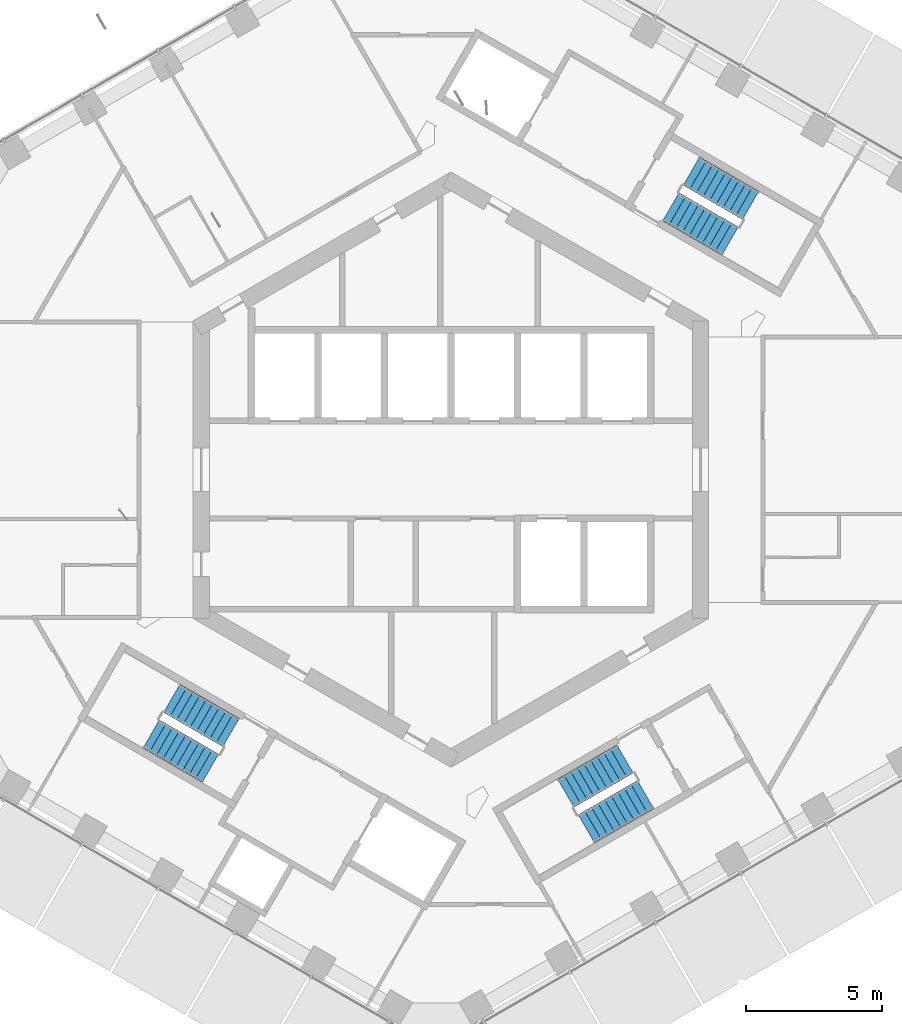
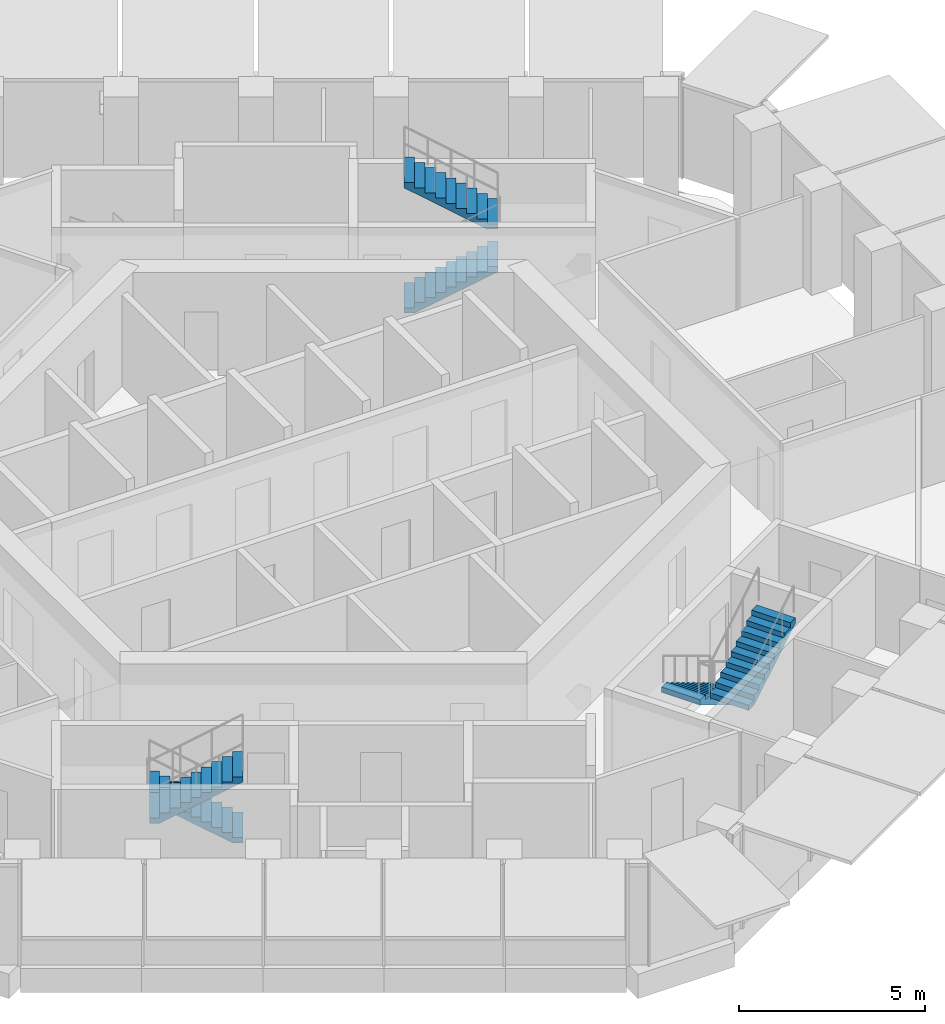
# One storey, part 20 of 21: 6 stair flights, 3 elements without a shape of their own.
"""IFC4 building model written with IfcOpenShell, lengths in metres."""

from ifc_helpers import new_model, si_unit, direction, frame, origin, place, context, subcontext, project, spatial, triangles, material, type_object, element, aggregate, save


model = new_model("IFC4")

# Units and contexts
model_context = context("Model", 3, precision=1e-05, world=origin(), true_north=direction((0.0, 1.0)))
body_context = subcontext(model_context, "Body", "Model", "MODEL_VIEW")
ifc_project = project(units=[si_unit("LENGTHUNIT", "METRE"), si_unit("AREAUNIT", "SQUARE_METRE"), si_unit("VOLUMEUNIT", "CUBIC_METRE"), si_unit("PLANEANGLEUNIT", "RADIAN"), si_unit("MASSUNIT", "GRAM", prefix="KILO")], contexts=[model_context])

# Site, building, storey
site_placement = place(None, origin())
site = spatial("IfcSite", under=ifc_project, at=site_placement, CompositionType="ELEMENT")
building_placement = place(site_placement, origin())
building = spatial("IfcBuilding", under=site, at=building_placement, Name="Ayvan Gate Tower", CompositionType="ELEMENT")
storey_placement = place(building_placement, frame((0.0, 0.0, 183.300048828125)))
storey = spatial("IfcBuildingStorey", under=building, at=storey_placement, Name="L49", CompositionType="ELEMENT", Elevation=183.300048828125)

# Stair, stair flights
ifc_material = material(Name="Concrete C40/50", Category="concrete")
stair_type = type_object("IfcStairType", Name="ST-EXIT", PredefinedType="HALF_TURN_STAIR", material=ifc_material)
stair_1_placement = place(storey_placement, origin())
stair_1 = element("IfcStair", 1, at=stair_1_placement, inside=storey, type_object=stair_type, Name="L49 Exit Stair S1", PredefinedType="HALF_TURN_STAIR")
stair_flight_type = type_object("IfcStairFlightType", Name="SFL-EXIT", PredefinedType="STRAIGHT", material=ifc_material)
stair_flight_1_placement = place(storey_placement, frame((8.106201171875, 9.690185546875, 0.0), z_axis=(0.0, 0.0, 1.0), x_axis=(0.866025403784, -0.5, 0.0)))
stair_flight_1 = element("IfcStairFlight", 2, at=stair_flight_1_placement, type_object=stair_flight_type, Name="STS1 flight 1", NumberOfRisers=10, NumberOfTreads=9, PredefinedType="STRAIGHT", RiserHeight=0.17, TreadLength=0.28, context=body_context, shape_type="Tessellation", body=[
    triangles([(0.288841, -0.599976, 0.0), (2.5205, -0.599976, 1.354936), (2.5205, -0.599976, 1.53), (2.24, -0.599976, 1.53), (2.24, -0.599976, 1.36), (1.96, -0.599976, 1.36), (1.96, -0.599976, 1.19), (1.68, -0.599976, 1.19), (1.68, -0.599976, 1.02), (1.4, -0.599976, 1.02), (1.4, -0.599976, 0.85), (1.12, -0.599976, 0.85), (1.12, -0.599976, 0.68), (0.84, -0.599976, 0.68), (0.84, -0.599976, 0.51), (0.56, -0.599976, 0.51), (0.56, -0.599976, 0.34), (0.28, -0.599976, 0.34), (0.28, -0.599976, 0.17), (-0.0005, -0.599976, 0.17), (-0.0005, -0.599976, 0.0), (0.288841, 0.0, 0.0), (2.5205, 0.0, 1.354936), (2.5205, 0.0, 1.53), (2.24, 0.0, 1.53), (2.24, 0.0, 1.36), (1.96, 0.0, 1.36), (1.96, 0.0, 1.19), (1.68, 0.0, 1.19), (1.68, 0.0, 1.02), (1.4, 0.0, 1.02), (1.4, 0.0, 0.85), (1.12, 0.0, 0.85), (1.12, 0.0, 0.68), (0.84, 0.0, 0.68), (0.84, 0.0, 0.51), (0.56, 0.0, 0.51), (0.56, 0.0, 0.34), (0.28, 0.0, 0.34), (0.28, 0.0, 0.17), (-0.0005, 0.0, 0.17), (-0.0005, 0.0, 0.0), (0.288841, 0.599976, 0.0), (2.5205, 0.599976, 1.354936), (2.5205, 0.599976, 1.53), (2.24, 0.599976, 1.53), (2.24, 0.599976, 1.36), (1.96, 0.599976, 1.36), (1.96, 0.599976, 1.19), (1.68, 0.599976, 1.19), (1.68, 0.599976, 1.02), (1.4, 0.599976, 1.02), (1.4, 0.599976, 0.85), (1.12, 0.599976, 0.85), (1.12, 0.599976, 0.68), (0.84, 0.599976, 0.68), (0.84, 0.599976, 0.51), (0.56, 0.599976, 0.51), (0.56, 0.599976, 0.34), (0.28, 0.599976, 0.34), (0.28, 0.599976, 0.17), (-0.0005, 0.599976, 0.17), (-0.0005, 0.599976, 0.0)], [[21, 1, 2], [63, 44, 43], [2, 3, 4], [44, 46, 45], [2, 4, 5], [44, 47, 46], [2, 5, 6], [44, 48, 47], [2, 6, 7], [44, 49, 48], [7, 8, 9], [49, 51, 50], [2, 7, 9], [44, 51, 49], [9, 10, 11], [51, 53, 52], [2, 9, 11], [44, 53, 51], [11, 12, 13], [53, 55, 54], [2, 11, 13], [44, 55, 53], [13, 14, 15], [55, 57, 56], [2, 13, 15], [44, 57, 55], [15, 16, 17], [57, 59, 58], [2, 15, 17], [44, 59, 57], [17, 18, 19], [59, 61, 60], [2, 17, 19], [44, 61, 59], [21, 2, 19], [63, 61, 44], [19, 20, 21], [61, 63, 62], [1, 22, 23], [1, 23, 2], [43, 23, 22], [43, 44, 23], [2, 23, 24], [2, 24, 3], [44, 24, 23], [44, 45, 24], [3, 24, 25], [3, 25, 4], [45, 25, 24], [45, 46, 25], [4, 25, 26], [4, 26, 5], [46, 26, 25], [46, 47, 26], [5, 26, 27], [5, 27, 6], [47, 27, 26], [47, 48, 27], [6, 27, 28], [6, 28, 7], [48, 28, 27], [48, 49, 28], [7, 28, 29], [7, 29, 8], [49, 29, 28], [49, 50, 29], [8, 29, 30], [8, 30, 9], [50, 30, 29], [50, 51, 30], [9, 30, 31], [9, 31, 10], [51, 31, 30], [51, 52, 31], [10, 31, 32], [10, 32, 11], [52, 32, 31], [52, 53, 32], [11, 32, 33], [11, 33, 12], [53, 33, 32], [53, 54, 33], [12, 33, 34], [12, 34, 13], [54, 34, 33], [54, 55, 34], [13, 34, 35], [13, 35, 14], [55, 35, 34], [55, 56, 35], [14, 35, 36], [14, 36, 15], [56, 36, 35], [56, 57, 36], [15, 36, 37], [15, 37, 16], [57, 37, 36], [57, 58, 37], [16, 37, 38], [16, 38, 17], [58, 38, 37], [58, 59, 38], [17, 38, 39], [17, 39, 18], [59, 39, 38], [59, 60, 39], [18, 39, 40], [18, 40, 19], [60, 40, 39], [60, 61, 40], [19, 40, 41], [19, 41, 20], [61, 41, 40], [61, 62, 41], [20, 41, 42], [20, 42, 21], [62, 42, 41], [62, 63, 42], [21, 42, 22], [21, 22, 1], [63, 22, 42], [63, 43, 22]], closed=True),
])
stair_flight_2_placement = place(storey_placement, frame((11.04345703125, 9.73779296875, 1.699951171875), z_axis=(0.0, 0.0, 1.0), x_axis=(-0.866025403784, 0.5, 0.0)))
stair_flight_2 = element("IfcStairFlight", 3, at=stair_flight_2_placement, type_object=stair_flight_type, Name="STS1 flight 2", NumberOfRisers=10, NumberOfTreads=9, PredefinedType="STRAIGHT", RiserHeight=0.17, TreadLength=0.28, context=body_context, shape_type="Tessellation", body=[
    triangles([(0.288841, -0.599976, 0.0), (2.5205, -0.599976, 1.354936), (2.5205, -0.599976, 1.53), (2.24, -0.599976, 1.53), (2.24, -0.599976, 1.36), (1.96, -0.599976, 1.36), (1.96, -0.599976, 1.19), (1.68, -0.599976, 1.19), (1.68, -0.599976, 1.02), (1.4, -0.599976, 1.02), (1.4, -0.599976, 0.85), (1.12, -0.599976, 0.85), (1.12, -0.599976, 0.68), (0.84, -0.599976, 0.68), (0.84, -0.599976, 0.51), (0.56, -0.599976, 0.51), (0.56, -0.599976, 0.34), (0.28, -0.599976, 0.34), (0.28, -0.599976, 0.17), (-0.0005, -0.599976, 0.17), (-0.0005, -0.599976, 0.0), (0.288841, 0.0, 0.0), (2.5205, 0.0, 1.354936), (2.5205, 0.0, 1.53), (2.24, 0.0, 1.53), (2.24, 0.0, 1.36), (1.96, 0.0, 1.36), (1.96, 0.0, 1.19), (1.68, 0.0, 1.19), (1.68, 0.0, 1.02), (1.4, 0.0, 1.02), (1.4, 0.0, 0.85), (1.12, 0.0, 0.85), (1.12, 0.0, 0.68), (0.84, 0.0, 0.68), (0.84, 0.0, 0.51), (0.56, 0.0, 0.51), (0.56, 0.0, 0.34), (0.28, 0.0, 0.34), (0.28, 0.0, 0.17), (-0.0005, 0.0, 0.17), (-0.0005, 0.0, 0.0), (0.288841, 0.599976, 0.0), (2.5205, 0.599976, 1.354936), (2.5205, 0.599976, 1.53), (2.24, 0.599976, 1.53), (2.24, 0.599976, 1.36), (1.96, 0.599976, 1.36), (1.96, 0.599976, 1.19), (1.68, 0.599976, 1.19), (1.68, 0.599976, 1.02), (1.4, 0.599976, 1.02), (1.4, 0.599976, 0.85), (1.12, 0.599976, 0.85), (1.12, 0.599976, 0.68), (0.84, 0.599976, 0.68), (0.84, 0.599976, 0.51), (0.56, 0.599976, 0.51), (0.56, 0.599976, 0.34), (0.28, 0.599976, 0.34), (0.28, 0.599976, 0.17), (-0.0005, 0.599976, 0.17), (-0.0005, 0.599976, 0.0)], [[21, 1, 2], [63, 44, 43], [2, 3, 4], [44, 46, 45], [2, 4, 5], [44, 47, 46], [2, 5, 6], [44, 48, 47], [2, 6, 7], [44, 49, 48], [7, 8, 9], [49, 51, 50], [2, 7, 9], [44, 51, 49], [9, 10, 11], [51, 53, 52], [2, 9, 11], [44, 53, 51], [11, 12, 13], [53, 55, 54], [2, 11, 13], [44, 55, 53], [13, 14, 15], [55, 57, 56], [2, 13, 15], [44, 57, 55], [15, 16, 17], [57, 59, 58], [2, 15, 17], [44, 59, 57], [17, 18, 19], [59, 61, 60], [2, 17, 19], [44, 61, 59], [21, 2, 19], [63, 61, 44], [19, 20, 21], [61, 63, 62], [1, 22, 23], [1, 23, 2], [43, 23, 22], [43, 44, 23], [2, 23, 24], [2, 24, 3], [44, 24, 23], [44, 45, 24], [3, 24, 25], [3, 25, 4], [45, 25, 24], [45, 46, 25], [4, 25, 26], [4, 26, 5], [46, 26, 25], [46, 47, 26], [5, 26, 27], [5, 27, 6], [47, 27, 26], [47, 48, 27], [6, 27, 28], [6, 28, 7], [48, 28, 27], [48, 49, 28], [7, 28, 29], [7, 29, 8], [49, 29, 28], [49, 50, 29], [8, 29, 30], [8, 30, 9], [50, 30, 29], [50, 51, 30], [9, 30, 31], [9, 31, 10], [51, 31, 30], [51, 52, 31], [10, 31, 32], [10, 32, 11], [52, 32, 31], [52, 53, 32], [11, 32, 33], [11, 33, 12], [53, 33, 32], [53, 54, 33], [12, 33, 34], [12, 34, 13], [54, 34, 33], [54, 55, 34], [13, 34, 35], [13, 35, 14], [55, 35, 34], [55, 56, 35], [14, 35, 36], [14, 36, 15], [56, 36, 35], [56, 57, 36], [15, 36, 37], [15, 37, 16], [57, 37, 36], [57, 58, 37], [16, 37, 38], [16, 38, 17], [58, 38, 37], [58, 59, 38], [17, 38, 39], [17, 39, 18], [59, 39, 38], [59, 60, 39], [18, 39, 40], [18, 40, 19], [60, 40, 39], [60, 61, 40], [19, 40, 41], [19, 41, 20], [61, 41, 40], [61, 62, 41], [20, 41, 42], [20, 42, 21], [62, 42, 41], [62, 63, 42], [21, 42, 22], [21, 22, 1], [63, 22, 42], [63, 43, 22]], closed=True),
])
aggregate(stair_1, [stair_flight_1, stair_flight_2])

stair_2_placement = place(storey_placement, origin())
stair_2 = element("IfcStair", 4, at=stair_2_placement, inside=storey, type_object=stair_type, Name="L49 Exit Stair S2", PredefinedType="HALF_TURN_STAIR")
stair_flight_3_placement = place(storey_placement, frame((-8.106201171875, -9.690185546875, 0.0), z_axis=(0.0, 0.0, 1.0), x_axis=(-0.866025403784, 0.5, 0.0)))
stair_flight_3 = element("IfcStairFlight", 5, at=stair_flight_3_placement, type_object=stair_flight_type, Name="STS2 flight 1", NumberOfRisers=10, NumberOfTreads=9, PredefinedType="STRAIGHT", RiserHeight=0.17, TreadLength=0.28, context=body_context, shape_type="Tessellation", body=[
    triangles([(0.288841, -0.599976, 0.0), (2.5205, -0.599976, 1.354936), (2.5205, -0.599976, 1.53), (2.24, -0.599976, 1.53), (2.24, -0.599976, 1.36), (1.96, -0.599976, 1.36), (1.96, -0.599976, 1.19), (1.68, -0.599976, 1.19), (1.68, -0.599976, 1.02), (1.4, -0.599976, 1.02), (1.4, -0.599976, 0.85), (1.12, -0.599976, 0.85), (1.12, -0.599976, 0.68), (0.84, -0.599976, 0.68), (0.84, -0.599976, 0.51), (0.56, -0.599976, 0.51), (0.56, -0.599976, 0.34), (0.28, -0.599976, 0.34), (0.28, -0.599976, 0.17), (-0.0005, -0.599976, 0.17), (-0.0005, -0.599976, 0.0), (0.288841, 0.0, 0.0), (2.5205, 0.0, 1.354936), (2.5205, 0.0, 1.53), (2.24, 0.0, 1.53), (2.24, 0.0, 1.36), (1.96, 0.0, 1.36), (1.96, 0.0, 1.19), (1.68, 0.0, 1.19), (1.68, 0.0, 1.02), (1.4, 0.0, 1.02), (1.4, 0.0, 0.85), (1.12, 0.0, 0.85), (1.12, 0.0, 0.68), (0.84, 0.0, 0.68), (0.84, 0.0, 0.51), (0.56, 0.0, 0.51), (0.56, 0.0, 0.34), (0.28, 0.0, 0.34), (0.28, 0.0, 0.17), (-0.0005, 0.0, 0.17), (-0.0005, 0.0, 0.0), (0.288841, 0.599976, 0.0), (2.5205, 0.599976, 1.354936), (2.5205, 0.599976, 1.53), (2.24, 0.599976, 1.53), (2.24, 0.599976, 1.36), (1.96, 0.599976, 1.36), (1.96, 0.599976, 1.19), (1.68, 0.599976, 1.19), (1.68, 0.599976, 1.02), (1.4, 0.599976, 1.02), (1.4, 0.599976, 0.85), (1.12, 0.599976, 0.85), (1.12, 0.599976, 0.68), (0.84, 0.599976, 0.68), (0.84, 0.599976, 0.51), (0.56, 0.599976, 0.51), (0.56, 0.599976, 0.34), (0.28, 0.599976, 0.34), (0.28, 0.599976, 0.17), (-0.0005, 0.599976, 0.17), (-0.0005, 0.599976, 0.0)], [[21, 1, 2], [63, 44, 43], [2, 3, 4], [44, 46, 45], [2, 4, 5], [44, 47, 46], [2, 5, 6], [44, 48, 47], [2, 6, 7], [44, 49, 48], [7, 8, 9], [49, 51, 50], [2, 7, 9], [44, 51, 49], [9, 10, 11], [51, 53, 52], [2, 9, 11], [44, 53, 51], [11, 12, 13], [53, 55, 54], [2, 11, 13], [44, 55, 53], [13, 14, 15], [55, 57, 56], [2, 13, 15], [44, 57, 55], [15, 16, 17], [57, 59, 58], [2, 15, 17], [44, 59, 57], [17, 18, 19], [59, 61, 60], [2, 17, 19], [44, 61, 59], [21, 2, 19], [63, 61, 44], [19, 20, 21], [61, 63, 62], [1, 22, 23], [1, 23, 2], [43, 23, 22], [43, 44, 23], [2, 23, 24], [2, 24, 3], [44, 24, 23], [44, 45, 24], [3, 24, 25], [3, 25, 4], [45, 25, 24], [45, 46, 25], [4, 25, 26], [4, 26, 5], [46, 26, 25], [46, 47, 26], [5, 26, 27], [5, 27, 6], [47, 27, 26], [47, 48, 27], [6, 27, 28], [6, 28, 7], [48, 28, 27], [48, 49, 28], [7, 28, 29], [7, 29, 8], [49, 29, 28], [49, 50, 29], [8, 29, 30], [8, 30, 9], [50, 30, 29], [50, 51, 30], [9, 30, 31], [9, 31, 10], [51, 31, 30], [51, 52, 31], [10, 31, 32], [10, 32, 11], [52, 32, 31], [52, 53, 32], [11, 32, 33], [11, 33, 12], [53, 33, 32], [53, 54, 33], [12, 33, 34], [12, 34, 13], [54, 34, 33], [54, 55, 34], [13, 34, 35], [13, 35, 14], [55, 35, 34], [55, 56, 35], [14, 35, 36], [14, 36, 15], [56, 36, 35], [56, 57, 36], [15, 36, 37], [15, 37, 16], [57, 37, 36], [57, 58, 37], [16, 37, 38], [16, 38, 17], [58, 38, 37], [58, 59, 38], [17, 38, 39], [17, 39, 18], [59, 39, 38], [59, 60, 39], [18, 39, 40], [18, 40, 19], [60, 40, 39], [60, 61, 40], [19, 40, 41], [19, 41, 20], [61, 41, 40], [61, 62, 41], [20, 41, 42], [20, 42, 21], [62, 42, 41], [62, 63, 42], [21, 42, 22], [21, 22, 1], [63, 22, 42], [63, 43, 22]], closed=True),
])
stair_flight_4_placement = place(storey_placement, frame((-11.04345703125, -9.73779296875, 1.699951171875), z_axis=(0.0, 0.0, 1.0), x_axis=(0.866025403784, -0.5, 0.0)))
stair_flight_4 = element("IfcStairFlight", 6, at=stair_flight_4_placement, type_object=stair_flight_type, Name="STS2 flight 2", NumberOfRisers=10, NumberOfTreads=9, PredefinedType="STRAIGHT", RiserHeight=0.17, TreadLength=0.28, context=body_context, shape_type="Tessellation", body=[
    triangles([(0.288841, -0.599976, 0.0), (2.5205, -0.599976, 1.354936), (2.5205, -0.599976, 1.53), (2.24, -0.599976, 1.53), (2.24, -0.599976, 1.36), (1.96, -0.599976, 1.36), (1.96, -0.599976, 1.19), (1.68, -0.599976, 1.19), (1.68, -0.599976, 1.02), (1.4, -0.599976, 1.02), (1.4, -0.599976, 0.85), (1.12, -0.599976, 0.85), (1.12, -0.599976, 0.68), (0.84, -0.599976, 0.68), (0.84, -0.599976, 0.51), (0.56, -0.599976, 0.51), (0.56, -0.599976, 0.34), (0.28, -0.599976, 0.34), (0.28, -0.599976, 0.17), (-0.0005, -0.599976, 0.17), (-0.0005, -0.599976, 0.0), (0.288841, 0.0, 0.0), (2.5205, 0.0, 1.354936), (2.5205, 0.0, 1.53), (2.24, 0.0, 1.53), (2.24, 0.0, 1.36), (1.96, 0.0, 1.36), (1.96, 0.0, 1.19), (1.68, 0.0, 1.19), (1.68, 0.0, 1.02), (1.4, 0.0, 1.02), (1.4, 0.0, 0.85), (1.12, 0.0, 0.85), (1.12, 0.0, 0.68), (0.84, 0.0, 0.68), (0.84, 0.0, 0.51), (0.56, 0.0, 0.51), (0.56, 0.0, 0.34), (0.28, 0.0, 0.34), (0.28, 0.0, 0.17), (-0.0005, 0.0, 0.17), (-0.0005, 0.0, 0.0), (0.288841, 0.599976, 0.0), (2.5205, 0.599976, 1.354936), (2.5205, 0.599976, 1.53), (2.24, 0.599976, 1.53), (2.24, 0.599976, 1.36), (1.96, 0.599976, 1.36), (1.96, 0.599976, 1.19), (1.68, 0.599976, 1.19), (1.68, 0.599976, 1.02), (1.4, 0.599976, 1.02), (1.4, 0.599976, 0.85), (1.12, 0.599976, 0.85), (1.12, 0.599976, 0.68), (0.84, 0.599976, 0.68), (0.84, 0.599976, 0.51), (0.56, 0.599976, 0.51), (0.56, 0.599976, 0.34), (0.28, 0.599976, 0.34), (0.28, 0.599976, 0.17), (-0.0005, 0.599976, 0.17), (-0.0005, 0.599976, 0.0)], [[21, 1, 2], [63, 44, 43], [2, 3, 4], [44, 46, 45], [2, 4, 5], [44, 47, 46], [2, 5, 6], [44, 48, 47], [2, 6, 7], [44, 49, 48], [7, 8, 9], [49, 51, 50], [2, 7, 9], [44, 51, 49], [9, 10, 11], [51, 53, 52], [2, 9, 11], [44, 53, 51], [11, 12, 13], [53, 55, 54], [2, 11, 13], [44, 55, 53], [13, 14, 15], [55, 57, 56], [2, 13, 15], [44, 57, 55], [15, 16, 17], [57, 59, 58], [2, 15, 17], [44, 59, 57], [17, 18, 19], [59, 61, 60], [2, 17, 19], [44, 61, 59], [21, 2, 19], [63, 61, 44], [19, 20, 21], [61, 63, 62], [1, 22, 23], [1, 23, 2], [43, 23, 22], [43, 44, 23], [2, 23, 24], [2, 24, 3], [44, 24, 23], [44, 45, 24], [3, 24, 25], [3, 25, 4], [45, 25, 24], [45, 46, 25], [4, 25, 26], [4, 26, 5], [46, 26, 25], [46, 47, 26], [5, 26, 27], [5, 27, 6], [47, 27, 26], [47, 48, 27], [6, 27, 28], [6, 28, 7], [48, 28, 27], [48, 49, 28], [7, 28, 29], [7, 29, 8], [49, 29, 28], [49, 50, 29], [8, 29, 30], [8, 30, 9], [50, 30, 29], [50, 51, 30], [9, 30, 31], [9, 31, 10], [51, 31, 30], [51, 52, 31], [10, 31, 32], [10, 32, 11], [52, 32, 31], [52, 53, 32], [11, 32, 33], [11, 33, 12], [53, 33, 32], [53, 54, 33], [12, 33, 34], [12, 34, 13], [54, 34, 33], [54, 55, 34], [13, 34, 35], [13, 35, 14], [55, 35, 34], [55, 56, 35], [14, 35, 36], [14, 36, 15], [56, 36, 35], [56, 57, 36], [15, 36, 37], [15, 37, 16], [57, 37, 36], [57, 58, 37], [16, 37, 38], [16, 38, 17], [58, 38, 37], [58, 59, 38], [17, 38, 39], [17, 39, 18], [59, 39, 38], [59, 60, 39], [18, 39, 40], [18, 40, 19], [60, 40, 39], [60, 61, 40], [19, 40, 41], [19, 41, 20], [61, 41, 40], [61, 62, 41], [20, 41, 42], [20, 42, 21], [62, 42, 41], [62, 63, 42], [21, 42, 22], [21, 22, 1], [63, 22, 42], [63, 43, 22]], closed=True),
])
aggregate(stair_2, [stair_flight_3, stair_flight_4])

stair_3_placement = place(storey_placement, origin())
stair_3 = element("IfcStair", 7, at=stair_3_placement, inside=storey, type_object=stair_type, Name="L49 Exit Stair S3", PredefinedType="HALF_TURN_STAIR")
stair_flight_5_placement = place(storey_placement, frame((6.417236328125, -10.665283203125, 0.0), z_axis=(0.0, 0.0, 1.0), x_axis=(-0.866025403784, -0.5, 0.0)))
stair_flight_5 = element("IfcStairFlight", 8, at=stair_flight_5_placement, type_object=stair_flight_type, Name="STS3 flight 1", NumberOfRisers=10, NumberOfTreads=9, PredefinedType="STRAIGHT", RiserHeight=0.17, TreadLength=0.28, context=body_context, shape_type="Tessellation", body=[
    triangles([(0.288841, -0.599976, 0.0), (2.5205, -0.599976, 1.354936), (2.5205, -0.599976, 1.53), (2.24, -0.599976, 1.53), (2.24, -0.599976, 1.36), (1.96, -0.599976, 1.36), (1.96, -0.599976, 1.19), (1.68, -0.599976, 1.19), (1.68, -0.599976, 1.02), (1.4, -0.599976, 1.02), (1.4, -0.599976, 0.85), (1.12, -0.599976, 0.85), (1.12, -0.599976, 0.68), (0.84, -0.599976, 0.68), (0.84, -0.599976, 0.51), (0.56, -0.599976, 0.51), (0.56, -0.599976, 0.34), (0.28, -0.599976, 0.34), (0.28, -0.599976, 0.17), (-0.0005, -0.599976, 0.17), (-0.0005, -0.599976, 0.0), (0.288841, 0.0, 0.0), (2.5205, 0.0, 1.354936), (2.5205, 0.0, 1.53), (2.24, 0.0, 1.53), (2.24, 0.0, 1.36), (1.96, 0.0, 1.36), (1.96, 0.0, 1.19), (1.68, 0.0, 1.19), (1.68, 0.0, 1.02), (1.4, 0.0, 1.02), (1.4, 0.0, 0.85), (1.12, 0.0, 0.85), (1.12, 0.0, 0.68), (0.84, 0.0, 0.68), (0.84, 0.0, 0.51), (0.56, 0.0, 0.51), (0.56, 0.0, 0.34), (0.28, 0.0, 0.34), (0.28, 0.0, 0.17), (-0.0005, 0.0, 0.17), (-0.0005, 0.0, 0.0), (0.288841, 0.599976, 0.0), (2.5205, 0.599976, 1.354936), (2.5205, 0.599976, 1.53), (2.24, 0.599976, 1.53), (2.24, 0.599976, 1.36), (1.96, 0.599976, 1.36), (1.96, 0.599976, 1.19), (1.68, 0.599976, 1.19), (1.68, 0.599976, 1.02), (1.4, 0.599976, 1.02), (1.4, 0.599976, 0.85), (1.12, 0.599976, 0.85), (1.12, 0.599976, 0.68), (0.84, 0.599976, 0.68), (0.84, 0.599976, 0.51), (0.56, 0.599976, 0.51), (0.56, 0.599976, 0.34), (0.28, 0.599976, 0.34), (0.28, 0.599976, 0.17), (-0.0005, 0.599976, 0.17), (-0.0005, 0.599976, 0.0)], [[21, 1, 2], [63, 44, 43], [2, 3, 4], [44, 46, 45], [2, 4, 5], [44, 47, 46], [2, 5, 6], [44, 48, 47], [2, 6, 7], [44, 49, 48], [7, 8, 9], [49, 51, 50], [2, 7, 9], [44, 51, 49], [9, 10, 11], [51, 53, 52], [2, 9, 11], [44, 53, 51], [11, 12, 13], [53, 55, 54], [2, 11, 13], [44, 55, 53], [13, 14, 15], [55, 57, 56], [2, 13, 15], [44, 57, 55], [15, 16, 17], [57, 59, 58], [2, 15, 17], [44, 59, 57], [17, 18, 19], [59, 61, 60], [2, 17, 19], [44, 61, 59], [21, 2, 19], [63, 61, 44], [19, 20, 21], [61, 63, 62], [1, 22, 23], [1, 23, 2], [43, 23, 22], [43, 44, 23], [2, 23, 24], [2, 24, 3], [44, 24, 23], [44, 45, 24], [3, 24, 25], [3, 25, 4], [45, 25, 24], [45, 46, 25], [4, 25, 26], [4, 26, 5], [46, 26, 25], [46, 47, 26], [5, 26, 27], [5, 27, 6], [47, 27, 26], [47, 48, 27], [6, 27, 28], [6, 28, 7], [48, 28, 27], [48, 49, 28], [7, 28, 29], [7, 29, 8], [49, 29, 28], [49, 50, 29], [8, 29, 30], [8, 30, 9], [50, 30, 29], [50, 51, 30], [9, 30, 31], [9, 31, 10], [51, 31, 30], [51, 52, 31], [10, 31, 32], [10, 32, 11], [52, 32, 31], [52, 53, 32], [11, 32, 33], [11, 33, 12], [53, 33, 32], [53, 54, 33], [12, 33, 34], [12, 34, 13], [54, 34, 33], [54, 55, 34], [13, 34, 35], [13, 35, 14], [55, 35, 34], [55, 56, 35], [14, 35, 36], [14, 36, 15], [56, 36, 35], [56, 57, 36], [15, 36, 37], [15, 37, 16], [57, 37, 36], [57, 58, 37], [16, 37, 38], [16, 38, 17], [58, 38, 37], [58, 59, 38], [17, 38, 39], [17, 39, 18], [59, 39, 38], [59, 60, 39], [18, 39, 40], [18, 40, 19], [60, 40, 39], [60, 61, 40], [19, 40, 41], [19, 41, 20], [61, 41, 40], [61, 62, 41], [20, 41, 42], [20, 42, 21], [62, 42, 41], [62, 63, 42], [21, 42, 22], [21, 22, 1], [63, 22, 42], [63, 43, 22]], closed=True),
])
stair_flight_6_placement = place(storey_placement, frame((4.989990234375, -13.23291015625, 1.699951171875), z_axis=(0.0, 0.0, 1.0), x_axis=(0.866025403784, 0.5, 0.0)))
stair_flight_6 = element("IfcStairFlight", 9, at=stair_flight_6_placement, type_object=stair_flight_type, Name="STS3 flight 2", NumberOfRisers=10, NumberOfTreads=9, PredefinedType="STRAIGHT", RiserHeight=0.17, TreadLength=0.28, context=body_context, shape_type="Tessellation", body=[
    triangles([(0.288841, -0.599976, 0.0), (2.5205, -0.599976, 1.354936), (2.5205, -0.599976, 1.53), (2.24, -0.599976, 1.53), (2.24, -0.599976, 1.36), (1.96, -0.599976, 1.36), (1.96, -0.599976, 1.19), (1.68, -0.599976, 1.19), (1.68, -0.599976, 1.02), (1.4, -0.599976, 1.02), (1.4, -0.599976, 0.85), (1.12, -0.599976, 0.85), (1.12, -0.599976, 0.68), (0.84, -0.599976, 0.68), (0.84, -0.599976, 0.51), (0.56, -0.599976, 0.51), (0.56, -0.599976, 0.34), (0.28, -0.599976, 0.34), (0.28, -0.599976, 0.17), (-0.0005, -0.599976, 0.17), (-0.0005, -0.599976, 0.0), (0.288841, 0.0, 0.0), (2.5205, 0.0, 1.354936), (2.5205, 0.0, 1.53), (2.24, 0.0, 1.53), (2.24, 0.0, 1.36), (1.96, 0.0, 1.36), (1.96, 0.0, 1.19), (1.68, 0.0, 1.19), (1.68, 0.0, 1.02), (1.4, 0.0, 1.02), (1.4, 0.0, 0.85), (1.12, 0.0, 0.85), (1.12, 0.0, 0.68), (0.84, 0.0, 0.68), (0.84, 0.0, 0.51), (0.56, 0.0, 0.51), (0.56, 0.0, 0.34), (0.28, 0.0, 0.34), (0.28, 0.0, 0.17), (-0.0005, 0.0, 0.17), (-0.0005, 0.0, 0.0), (0.288841, 0.599976, 0.0), (2.5205, 0.599976, 1.354936), (2.5205, 0.599976, 1.53), (2.24, 0.599976, 1.53), (2.24, 0.599976, 1.36), (1.96, 0.599976, 1.36), (1.96, 0.599976, 1.19), (1.68, 0.599976, 1.19), (1.68, 0.599976, 1.02), (1.4, 0.599976, 1.02), (1.4, 0.599976, 0.85), (1.12, 0.599976, 0.85), (1.12, 0.599976, 0.68), (0.84, 0.599976, 0.68), (0.84, 0.599976, 0.51), (0.56, 0.599976, 0.51), (0.56, 0.599976, 0.34), (0.28, 0.599976, 0.34), (0.28, 0.599976, 0.17), (-0.0005, 0.599976, 0.17), (-0.0005, 0.599976, 0.0)], [[21, 1, 2], [63, 44, 43], [2, 3, 4], [44, 46, 45], [2, 4, 5], [44, 47, 46], [2, 5, 6], [44, 48, 47], [2, 6, 7], [44, 49, 48], [7, 8, 9], [49, 51, 50], [2, 7, 9], [44, 51, 49], [9, 10, 11], [51, 53, 52], [2, 9, 11], [44, 53, 51], [11, 12, 13], [53, 55, 54], [2, 11, 13], [44, 55, 53], [13, 14, 15], [55, 57, 56], [2, 13, 15], [44, 57, 55], [15, 16, 17], [57, 59, 58], [2, 15, 17], [44, 59, 57], [17, 18, 19], [59, 61, 60], [2, 17, 19], [44, 61, 59], [21, 2, 19], [63, 61, 44], [19, 20, 21], [61, 63, 62], [1, 22, 23], [1, 23, 2], [43, 23, 22], [43, 44, 23], [2, 23, 24], [2, 24, 3], [44, 24, 23], [44, 45, 24], [3, 24, 25], [3, 25, 4], [45, 25, 24], [45, 46, 25], [4, 25, 26], [4, 26, 5], [46, 26, 25], [46, 47, 26], [5, 26, 27], [5, 27, 6], [47, 27, 26], [47, 48, 27], [6, 27, 28], [6, 28, 7], [48, 28, 27], [48, 49, 28], [7, 28, 29], [7, 29, 8], [49, 29, 28], [49, 50, 29], [8, 29, 30], [8, 30, 9], [50, 30, 29], [50, 51, 30], [9, 30, 31], [9, 31, 10], [51, 31, 30], [51, 52, 31], [10, 31, 32], [10, 32, 11], [52, 32, 31], [52, 53, 32], [11, 32, 33], [11, 33, 12], [53, 33, 32], [53, 54, 33], [12, 33, 34], [12, 34, 13], [54, 34, 33], [54, 55, 34], [13, 34, 35], [13, 35, 14], [55, 35, 34], [55, 56, 35], [14, 35, 36], [14, 36, 15], [56, 36, 35], [56, 57, 36], [15, 36, 37], [15, 37, 16], [57, 37, 36], [57, 58, 37], [16, 37, 38], [16, 38, 17], [58, 38, 37], [58, 59, 38], [17, 38, 39], [17, 39, 18], [59, 39, 38], [59, 60, 39], [18, 39, 40], [18, 40, 19], [60, 40, 39], [60, 61, 40], [19, 40, 41], [19, 41, 20], [61, 41, 40], [61, 62, 41], [20, 41, 42], [20, 42, 21], [62, 42, 41], [62, 63, 42], [21, 42, 22], [21, 22, 1], [63, 22, 42], [63, 43, 22]], closed=True),
])
aggregate(stair_3, [stair_flight_5, stair_flight_6])

save(model, "model.ifc")
